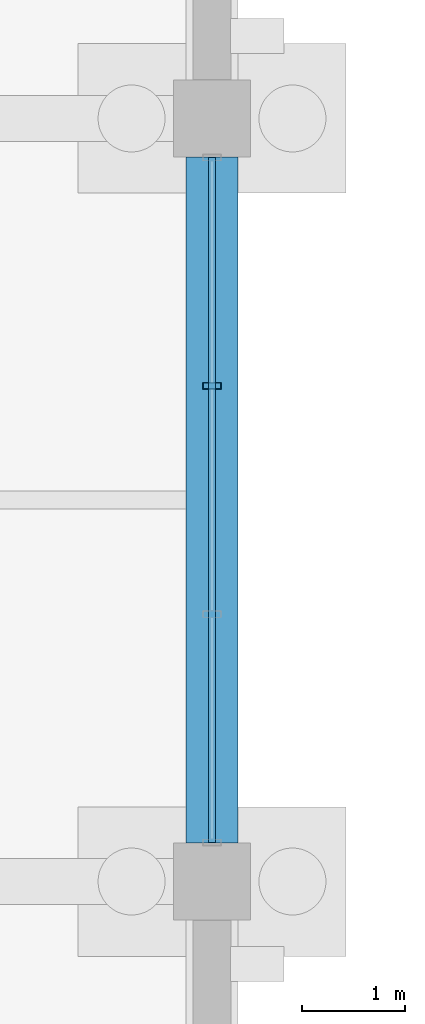
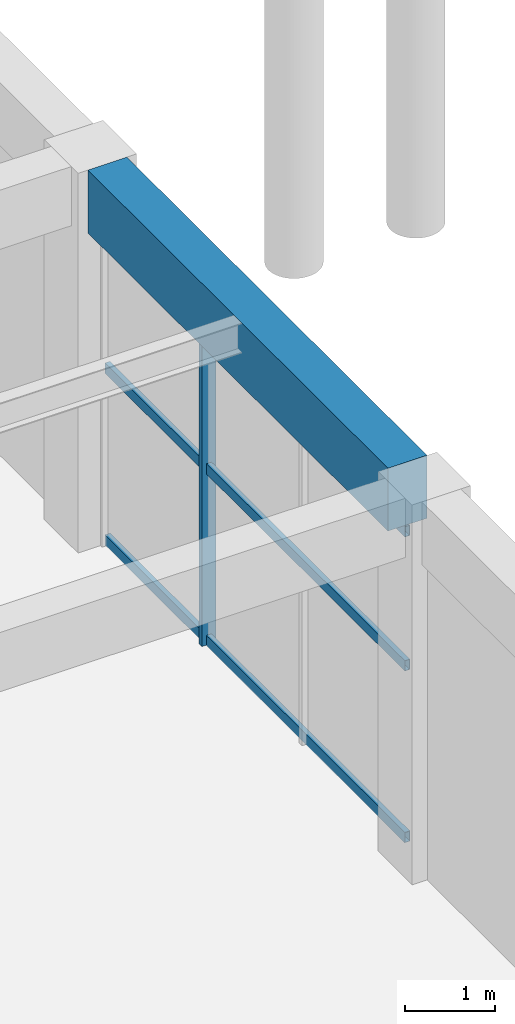
# One storey, part 56 of 140: 4 members, 1 beam, 1 element without a shape of its own.
"""IFC4 building model written with IfcOpenShell, lengths in metres."""

from ifc_helpers import new_model, si_unit, direction, frame, origin, origin_2d, place, context, subcontext, project, spatial, rectangle, hollow_rectangle, extrude, material, material_profile, profile_set, type_object, element, aggregate, save


model = new_model("IFC4")

# Units and contexts
model_context = context("Model", 3, precision=1e-05, world=origin(), true_north=direction((0.0, 1.0)))
body_context = subcontext(model_context, "Body", "Model", "MODEL_VIEW")
ifc_project = project(units=[si_unit("LENGTHUNIT", "METRE"), si_unit("AREAUNIT", "SQUARE_METRE"), si_unit("VOLUMEUNIT", "CUBIC_METRE"), si_unit("PLANEANGLEUNIT", "RADIAN"), si_unit("MASSUNIT", "GRAM", prefix="KILO")], contexts=[model_context])

# Site, building, storey
site_placement = place(None, origin())
site = spatial("IfcSite", under=ifc_project, at=site_placement, CompositionType="ELEMENT")
building_placement = place(site_placement, origin())
building = spatial("IfcBuilding", under=site, at=building_placement, Name="Cimatlan Art Gallery", CompositionType="ELEMENT")
storey_placement = place(building_placement, origin())
storey = spatial("IfcBuildingStorey", under=building, at=storey_placement, Name="L00", CompositionType="ELEMENT", Elevation=0.0)

# Beam
ifc_material_1 = material(Name="Concrete C40/50", Category="concrete")
ifc_material_profile_1 = material_profile(ifc_material_1, rectangle(XDim=0.5, YDim=0.85009765625, at=origin_2d()), Name="RC500X850")
ifc_profile_set_1 = profile_set([ifc_material_profile_1], Name="Concrete C40/50")
beam_type = type_object("IfcBeamType", Name="BM-RC-500X850", PredefinedType="BEAM", material=ifc_profile_set_1)
beam_placement = place(storey_placement, frame((18.199951171875, 76.074951171875, 4.7099609375), z_axis=(0.0, 1.0, 0.0), x_axis=(-1.0, 0.0, 0.0)))
element("IfcBeam", 1, at=beam_placement, inside=storey, type_object=beam_type, Name="BM-Y-L00-02-10", PredefinedType="BEAM", context=body_context, shape_type="SweptSolid", body=[
    extrude(rectangle(XDim=0.5, YDim=0.85009765625, at=origin_2d()), origin(), (0.0, 0.0, 1.0), 6.650146484375),
])

# Curtain wall, members
ifc_material_2 = material(Name="Anodised bronze unitised curtain wall")
curtain_wall_type = type_object("IfcCurtainWallType", Name="CW-V-06642X04255-B3", PredefinedType="NOTDEFINED", material=ifc_material_2)
curtain_wall_placement = place(storey_placement, origin())
curtain_wall = element("IfcCurtainWall", 2, at=curtain_wall_placement, inside=storey, type_object=curtain_wall_type, Name="CW-L00-01-10-E", PredefinedType="NOTDEFINED")
ifc_material_3 = material(Name="Anodised bronze aluminium 6063-T6", Category="aluminium")
ifc_material_profile_2 = material_profile(ifc_material_3, hollow_rectangle(XDim=0.06494140625, YDim=0.179931640625, WallThickness=0.00390625, at=origin_2d()), Name="ALU65X180X4")
ifc_profile_set_2 = profile_set([ifc_material_profile_2], Name="Anodised bronze aluminium 6063-T6")
member_type_1 = type_object("IfcMemberType", Name="CW-MUL-180", PredefinedType="MULLION", material=ifc_profile_set_2)
member_1_placement = place(storey_placement, frame((18.199951171875, 80.507080078125, 0.0), z_axis=(0.0, 0.0, 1.0), x_axis=(0.0, 1.0, 0.0)))
member_1 = element("IfcMember", 3, at=member_1_placement, type_object=member_type_1, Name="CW-L00-01-10-E-M2", PredefinedType="MULLION", context=body_context, shape_type="SweptSolid", body=[
    extrude(hollow_rectangle(XDim=0.06494140625, YDim=0.179931640625, WallThickness=0.00390625, at=origin_2d()), origin(), (0.0, 0.0, 1.0), 4.2548828125),
])
ifc_material_profile_3 = material_profile(ifc_material_3, hollow_rectangle(XDim=0.06494140625, YDim=0.139892578125, WallThickness=0.00390625, at=origin_2d()), Name="ALU65X140X4")
ifc_profile_set_3 = profile_set([ifc_material_profile_3], Name="Anodised bronze aluminium 6063-T6")
member_type_2 = type_object("IfcMemberType", Name="CW-TRN-140", PredefinedType="USERDEFINED", material=ifc_profile_set_3)
member_2_placement = place(storey_placement, frame((18.199951171875, 82.720947265625, 0.06005859375), z_axis=(0.0, -1.0, 0.0), x_axis=(1.0, 0.0, 0.0)))
member_2 = element("IfcMember", 4, at=member_2_placement, type_object=member_type_2, Name="CW-L00-01-10-E-T1", ObjectType="TRANSOM", PredefinedType="USERDEFINED", context=body_context, shape_type="SweptSolid", body=[
    extrude(hollow_rectangle(XDim=0.06494140625, YDim=0.139892578125, WallThickness=0.00390625, at=origin_2d()), origin(), (0.0, 0.0, 1.0), 6.641845703125),
])
member_3_placement = place(storey_placement, frame((18.199951171875, 82.720947265625, 2.3828125), z_axis=(0.0, -1.0, 0.0), x_axis=(1.0, 0.0, 0.0)))
member_3 = element("IfcMember", 5, at=member_3_placement, type_object=member_type_2, Name="CW-L00-01-10-E-T2", ObjectType="TRANSOM", PredefinedType="USERDEFINED", context=body_context, shape_type="SweptSolid", body=[
    extrude(hollow_rectangle(XDim=0.06494140625, YDim=0.139892578125, WallThickness=0.00390625, at=origin_2d()), origin(), (0.0, 0.0, 1.0), 6.641845703125),
])
member_4_placement = place(storey_placement, frame((18.199951171875, 82.720947265625, 4.195068359375), z_axis=(0.0, -1.0, 0.0), x_axis=(1.0, 0.0, 0.0)))
member_4 = element("IfcMember", 6, at=member_4_placement, type_object=member_type_2, Name="CW-L00-01-10-E-T3", ObjectType="TRANSOM", PredefinedType="USERDEFINED", context=body_context, shape_type="SweptSolid", body=[
    extrude(hollow_rectangle(XDim=0.06494140625, YDim=0.139892578125, WallThickness=0.00390625, at=origin_2d()), origin(), (0.0, 0.0, 1.0), 6.641845703125),
])
aggregate(curtain_wall, [member_1, member_2, member_3, member_4])

save(model, "model.ifc")
